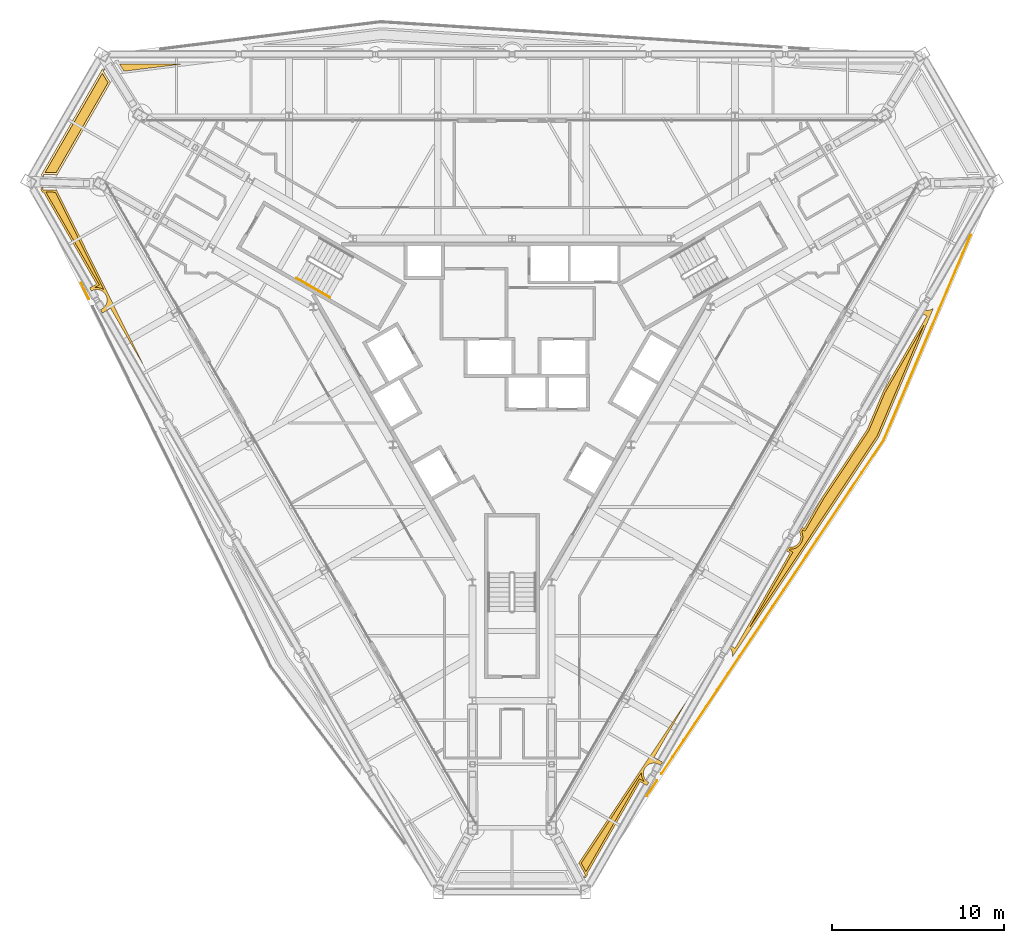
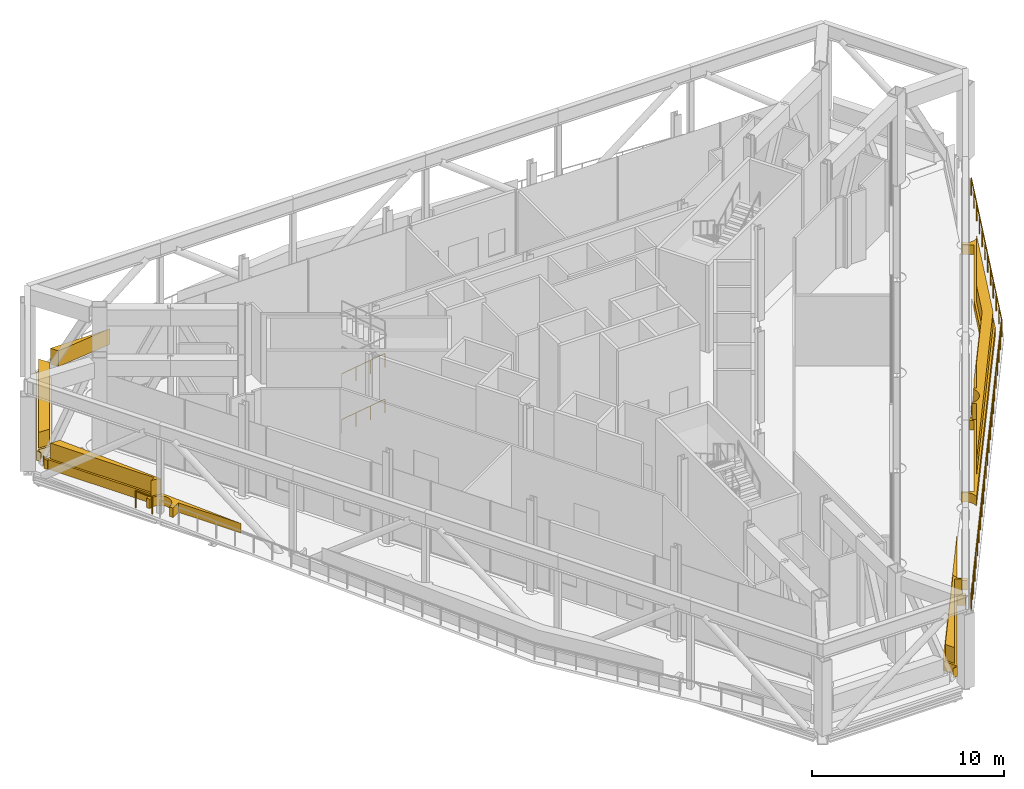
# One storey, part 21 of 24: 9 coverings, 5 railings.
"""IFC4 building model written with IfcOpenShell, lengths in metres."""

from ifc_helpers import new_model, si_unit, direction, frame, origin, origin_2d, place, context, subcontext, project, spatial, polyline, circle, outline, extrude, material, type_object, element, save


model = new_model("IFC4")

# Units and contexts
model_context = context("Model", 3, precision=1e-05, world=origin(), true_north=direction((0.0, 1.0)))
body_context = subcontext(model_context, "Body", "Model", "MODEL_VIEW")
ifc_project = project(units=[si_unit("LENGTHUNIT", "METRE"), si_unit("AREAUNIT", "SQUARE_METRE"), si_unit("VOLUMEUNIT", "CUBIC_METRE"), si_unit("PLANEANGLEUNIT", "RADIAN"), si_unit("MASSUNIT", "GRAM", prefix="KILO")], contexts=[model_context])

# Site, building, storey
site_placement = place(None, origin())
site = spatial("IfcSite", under=ifc_project, at=site_placement, CompositionType="ELEMENT")
building_placement = place(site_placement, origin())
building = spatial("IfcBuilding", under=site, at=building_placement, Name="Verrane Prism Tower", CompositionType="ELEMENT")
storey_placement = place(building_placement, frame((0.0, 0.0, 200.60009765625)))
storey = spatial("IfcBuildingStorey", under=building, at=storey_placement, Name="L50", CompositionType="ELEMENT", Elevation=200.60009765625)

# Coverings
ifc_material_1 = material(Name="Planting medium in stone kerb", Category="masonry")
covering_type_1 = type_object("IfcCoveringType", Name="Planter bed 600", PredefinedType="USERDEFINED", material=ifc_material_1)
covering_1_placement = place(storey_placement, origin())
element("IfcCovering", 1, at=covering_1_placement, inside=storey, type_object=covering_type_1, Name="Planter bed L50 3", ObjectType="PLANTER", PredefinedType="USERDEFINED", context=body_context, shape_type="SweptSolid", body=[
    extrude(outline(polyline([(24.519775390625, 3.937744140625), (24.49462890625, 3.919189453125), (24.444091796875, 3.888671875), (24.390380859375, 3.863525390625), (24.3349609375, 3.843505859375), (24.277587890625, 3.8291015625), (24.218994140625, 3.820556640625), (24.159912109375, 3.817626953125), (24.10107421875, 3.820556640625), (24.04248046875, 3.8291015625), (23.985107421875, 3.843505859375), (23.929443359375, 3.863525390625), (23.8759765625, 3.888671875), (23.8251953125, 3.919189453125), (23.77783203125, 3.954345703125), (23.73388671875, 3.993896484375), (23.693603515625, 4.03857421875), (23.59130859375, 3.796875), (24.137451171875, 3.481201171875), (21.58251953125, -0.941650390625), (20.647216796875, -3.1484375), (18.0703125, -7.02197265625), (17.001953125, -8.87158203125), (16.884765625, -8.803955078125), (16.71826171875, -9.05419921875), (16.731201171875, -9.075927734375), (16.756591796875, -9.12939453125), (16.776611328125, -9.18505859375), (16.790771484375, -9.242431640625), (16.799560546875, -9.301025390625), (16.802490234375, -9.360107421875), (16.799560546875, -9.4189453125), (16.790771484375, -9.4775390625), (16.776611328125, -9.534912109375), (16.756591796875, -9.590576171875), (16.731201171875, -9.64404296875), (16.700927734375, -9.694580078125), (16.665771484375, -9.7421875), (16.6259765625, -9.785888671875), (16.582275390625, -9.82568359375), (16.53466796875, -9.86083984375), (16.48388671875, -9.891357421875), (16.430419921875, -9.91650390625), (16.375, -9.9365234375), (16.3173828125, -9.95068359375), (16.259033203125, -9.95947265625), (16.199951171875, -9.96240234375), (16.14111328125, -9.95947265625), (16.118408203125, -9.9560546875), (15.970703125, -10.177978515625), (16.178466796875, -10.2978515625), (12.977783203125, -15.844482421875), (12.41650390625, -15.5205078125), (12.33251953125, -15.64697265625), (12.347412109375, -15.649169921875), (12.40478515625, -15.66357421875), (12.46044921875, -15.68359375), (12.513916015625, -15.708740234375), (12.564697265625, -15.739013671875), (12.6123046875, -15.7744140625), (12.656005859375, -15.81396484375), (12.69580078125, -15.85791015625), (12.73095703125, -15.9052734375), (12.76123046875, -15.9560546875), (12.78662109375, -16.009521484375), (12.806396484375, -16.065185546875), (12.82080078125, -16.12255859375), (12.82958984375, -16.180908203125), (12.83251953125, -16.239990234375), (12.82958984375, -16.299072265625), (12.82080078125, -16.35693359375), (21.3544921875, -3.529296875), (24.519775390625, 3.937744140625)])), origin(), (0.0, 0.0, 1.0), 0.599853515625),
])
covering_2_placement = place(storey_placement, origin())
element("IfcCovering", 2, at=covering_2_placement, inside=storey, type_object=covering_type_1, Name="Planter bed L50 5", ObjectType="PLANTER", PredefinedType="USERDEFINED", context=body_context, shape_type="SweptSolid", body=[
    extrude(outline(polyline([(4.033203125, -29.20654296875), (4.1142578125, -29.186279296875), (4.19677734375, -29.174072265625), (4.280029296875, -29.169921875), (4.29638671875, -29.1708984375), (4.412353515625, -28.99658203125), (4.36572265625, -28.9697265625), (7.45654296875, -23.605712890625), (7.848388671875, -23.83154296875), (7.962890625, -23.659423828125), (7.915283203125, -23.630859375), (7.867919921875, -23.595703125), (7.823974609375, -23.555908203125), (7.7841796875, -23.51220703125), (7.7490234375, -23.464599609375), (7.71875, -23.4140625), (7.693603515625, -23.360595703125), (7.673583984375, -23.304931640625), (7.6591796875, -23.24755859375), (7.650390625, -23.18896484375), (7.647705078125, -23.1298828125), (7.650390625, -23.071044921875), (7.6591796875, -23.012451171875), (7.673583984375, -22.955078125), (7.693603515625, -22.8994140625), (7.71875, -22.845947265625), (7.7490234375, -22.79541015625), (7.7841796875, -22.747802734375), (7.823974609375, -22.7041015625), (7.867919921875, -22.664306640625), (7.915283203125, -22.629150390625), (7.966064453125, -22.5986328125), (8.01953125, -22.573486328125), (8.0751953125, -22.553466796875), (8.132568359375, -22.539306640625), (8.19091796875, -22.530517578125), (8.25, -22.527587890625), (8.30908203125, -22.530517578125), (8.367431640625, -22.539306640625), (8.4248046875, -22.553466796875), (8.48046875, -22.573486328125), (8.533935546875, -22.5986328125), (8.584716796875, -22.629150390625), (8.627197265625, -22.66064453125), (8.75439453125, -22.4697265625), (8.2724609375, -22.19140625), (10.14306640625, -18.953369140625), (10.1357421875, -18.948974609375), (3.891357421875, -28.33544921875), (4.277099609375, -29.058837890625), (3.97119140625, -29.22216796875), (3.9736328125, -29.227783203125), (4.033203125, -29.20654296875)])), origin(), (0.0, 0.0, 1.0), 0.599853515625),
])
covering_3_placement = place(storey_placement, origin())
element("IfcCovering", 3, at=covering_3_placement, inside=storey, type_object=covering_type_1, Name="Planter bed L50 11", ObjectType="PLANTER", PredefinedType="USERDEFINED", context=body_context, shape_type="SweptSolid", body=[
    extrude(outline(polyline([(-27.316650390625, 11.063232421875), (-27.3447265625, 10.984619140625), (-27.38037109375, 10.9091796875), (-27.4091796875, 10.861083984375), (-27.318603515625, 10.677978515625), (-27.264404296875, 10.709228515625), (-24.173583984375, 5.34521484375), (-24.563720703125, 5.120361328125), (-24.4716796875, 4.934814453125), (-24.444091796875, 4.951416015625), (-24.390380859375, 4.9765625), (-24.3349609375, 4.99658203125), (-24.277587890625, 5.0107421875), (-24.218994140625, 5.01953125), (-24.159912109375, 5.0224609375), (-24.10107421875, 5.01953125), (-24.04248046875, 5.0107421875), (-23.985107421875, 4.99658203125), (-23.929443359375, 4.9765625), (-23.8759765625, 4.951416015625), (-23.8251953125, 4.9208984375), (-23.77783203125, 4.8857421875), (-23.73388671875, 4.845947265625), (-23.6943359375, 4.80224609375), (-23.6591796875, 4.754638671875), (-23.628662109375, 4.7041015625), (-23.603515625, 4.650390625), (-23.58349609375, 4.594970703125), (-23.569091796875, 4.53759765625), (-23.560546875, 4.47900390625), (-23.5576171875, 4.419921875), (-23.560546875, 4.361083984375), (-23.569091796875, 4.302490234375), (-23.58349609375, 4.2451171875), (-23.603515625, 4.189453125), (-23.628662109375, 4.135986328125), (-23.6591796875, 4.085205078125), (-23.6943359375, 4.037841796875), (-23.73388671875, 3.993896484375), (-23.77783203125, 3.954345703125), (-23.8251953125, 3.919189453125), (-23.8759765625, 3.888671875), (-23.929443359375, 3.863525390625), (-23.93896484375, 3.860107421875), (-23.837158203125, 3.65478515625), (-23.358154296875, 3.931396484375), (-21.47509765625, 0.671875), (-21.4677734375, 0.67578125), (-26.48681640625, 10.80126953125), (-27.297607421875, 10.830078125), (-27.28564453125, 11.16748046875), (-27.290283203125, 11.168212890625), (-27.316650390625, 11.063232421875)])), origin(), (0.0, 0.0, 1.0), 0.599853515625),
])
covering_4_placement = place(storey_placement, origin())
element("IfcCovering", 4, at=covering_4_placement, inside=storey, type_object=covering_type_1, Name="Planter bed L50 12", ObjectType="PLANTER", PredefinedType="USERDEFINED", context=body_context, shape_type="SweptSolid", body=[
    extrude(outline(polyline([(-27.265625, 11.7294921875), (-26.4599609375, 11.700927734375), (-23.3623046875, 17.06640625), (-23.791259765625, 17.751708984375), (-23.503173828125, 17.931884765625), (-23.506591796875, 17.93798828125), (-23.53466796875, 17.9248046875), (-23.61328125, 17.896484375), (-23.694091796875, 17.876220703125), (-23.776611328125, 17.864013671875), (-23.826904296875, 17.861572265625), (-27.37939453125, 11.70849609375), (-27.3447265625, 11.63525390625), (-27.316650390625, 11.556640625), (-27.29638671875, 11.475830078125), (-27.283203125, 11.387451171875), (-27.27783203125, 11.3876953125), (-27.265625, 11.7294921875)])), origin(), (0.0, 0.0, 1.0), 0.599853515625),
])
ifc_material_2 = material(Name="Planted shrubs and grasses", Category="other")
covering_type_2 = type_object("IfcCoveringType", Name="Planting mass 1000", PredefinedType="USERDEFINED", material=ifc_material_2)
covering_5_placement = place(storey_placement, frame((0.0, 0.0, 0.599853515625)))
element("IfcCovering", 5, at=covering_5_placement, inside=storey, type_object=covering_type_2, Name="Planting L50 3", ObjectType="PLANTING", PredefinedType="USERDEFINED", context=body_context, shape_type="SweptSolid", body=[
    extrude(outline(polyline([(21.24853515625, -3.47216796875), (23.975341796875, 2.960693359375), (21.690185546875, -0.995361328125), (20.75341796875, -3.20556640625), (18.17236328125, -7.085205078125), (17.045654296875, -9.035400390625), (16.92236328125, -8.964111328125), (16.857421875, -9.061767578125), (16.867431640625, -9.08349609375), (16.891357421875, -9.150390625), (16.90869140625, -9.218994140625), (16.919189453125, -9.289306640625), (16.922607421875, -9.360107421875), (16.919189453125, -9.430908203125), (16.90869140625, -9.5009765625), (16.891357421875, -9.569580078125), (16.867431640625, -9.636474609375), (16.837158203125, -9.70068359375), (16.80078125, -9.761474609375), (16.758544921875, -9.818359375), (16.7109375, -9.870849609375), (16.658447265625, -9.91845703125), (16.601318359375, -9.960693359375), (16.54052734375, -9.997314453125), (16.4765625, -10.027587890625), (16.40966796875, -10.051513671875), (16.341064453125, -10.068603515625), (16.270751953125, -10.0791015625), (16.199951171875, -10.08251953125), (16.178955078125, -10.08154296875), (16.141357421875, -10.137939453125), (16.34228515625, -10.25390625), (13.761474609375, -14.726318359375), (21.24853515625, -3.47216796875)])), origin(), (0.0, 0.0, 1.0), 1.0),
])
covering_6_placement = place(storey_placement, frame((0.0, 0.0, 0.599853515625)))
element("IfcCovering", 6, at=covering_6_placement, inside=storey, type_object=covering_type_2, Name="Planting L50 5", ObjectType="PLANTING", PredefinedType="USERDEFINED", context=body_context, shape_type="SweptSolid", body=[
    extrude(outline(polyline([(7.412353515625, -23.44189453125), (7.718505859375, -23.6181640625), (7.69140625, -23.58837890625), (7.649169921875, -23.531494140625), (7.61279296875, -23.470703125), (7.58251953125, -23.406494140625), (7.55859375, -23.339599609375), (7.541259765625, -23.27099609375), (7.531005859375, -23.20068359375), (7.527587890625, -23.1298828125), (7.52978515625, -23.082763671875), (4.031005859375, -28.34228515625), (4.29931640625, -28.844970703125), (7.412353515625, -23.44189453125)])), origin(), (0.0, 0.0, 1.0), 1.0),
])
covering_7_placement = place(storey_placement, frame((0.0, 0.0, 0.599853515625)))
element("IfcCovering", 7, at=covering_7_placement, inside=storey, type_object=covering_type_2, Name="Planting L50 10", ObjectType="PLANTING", PredefinedType="USERDEFINED", context=body_context, shape_type="SweptSolid", body=[
    extrude(outline(polyline([(-22.57421875, 17.7294921875), (-19.2451171875, 18.139892578125), (-22.8310546875, 18.139892578125), (-22.57421875, 17.7294921875)])), origin(), (0.0, 0.0, 1.0), 1.0),
])
covering_8_placement = place(storey_placement, frame((0.0, 0.0, 0.599853515625)))
element("IfcCovering", 8, at=covering_8_placement, inside=storey, type_object=covering_type_2, Name="Planting L50 11", ObjectType="PLANTING", PredefinedType="USERDEFINED", context=body_context, shape_type="SweptSolid", body=[
    extrude(outline(polyline([(-24.009765625, 5.301025390625), (-24.31494140625, 5.125), (-24.301025390625, 5.128662109375), (-24.230712890625, 5.13916015625), (-24.159912109375, 5.142578125), (-24.089111328125, 5.13916015625), (-24.01904296875, 5.128662109375), (-23.9501953125, 5.111328125), (-23.883544921875, 5.08740234375), (-23.8193359375, 5.05712890625), (-23.758544921875, 5.020751953125), (-23.75341796875, 5.01708984375), (-26.5625, 10.683837890625), (-27.122802734375, 10.703857421875), (-24.009765625, 5.301025390625)])), origin(), (0.0, 0.0, 1.0), 1.0),
])
covering_9_placement = place(storey_placement, frame((0.0, 0.0, 0.599853515625)))
element("IfcCovering", 9, at=covering_9_placement, inside=storey, type_object=covering_type_2, Name="Planting L50 12", ObjectType="PLANTING", PredefinedType="USERDEFINED", context=body_context, shape_type="SweptSolid", body=[
    extrude(outline(polyline([(-26.52783203125, 11.823486328125), (-23.502197265625, 17.063720703125), (-23.838623046875, 17.601318359375), (-27.16162109375, 11.845947265625), (-26.52783203125, 11.823486328125)])), origin(), (0.0, 0.0, 1.0), 1.0),
])

# Railings
ifc_material_3 = material(Name="Steel A36 tube", Category="steel")
railing_type_1 = type_object("IfcRailingType", Name="Stair handrail 900 steel tube", PredefinedType="HANDRAIL", material=ifc_material_3)
for number, where, name in (
    (10, (-12.53955078125, 5.680908203125, 0.1611328125), "Stair 2 handrail"),
    (11, (-12.53955078125, 5.680908203125, 3.06103515625), "Stair 2 handrail"),
):
    element("IfcRailing", number, at=place(storey_placement, frame(where)), inside=storey, type_object=railing_type_1, Name=name, PredefinedType="HANDRAIL", context=body_context, shape_type="SweptSolid", body=[
        extrude(circle(Radius=0.02392578125, at=origin_2d()), frame((0.0, 0.0, 0.8759765625), z_axis=(0.750637111348, -0.433415940959, 0.498692840524), x_axis=(0.500030632641, 0.866007717299, 0.0)), (0.0, 0.0, 1.0), 2.58447265625),
        extrude(circle(Radius=0.02099609375, at=origin_2d()), origin(), (0.0, 0.0, 1.0), 0.851806640625),
        extrude(circle(Radius=0.02099609375, at=origin_2d()), frame((0.646728515625, -0.373291015625, 0.4296875)), (0.0, 0.0, 1.0), 0.851806640625),
        extrude(circle(Radius=0.02099609375, at=origin_2d()), frame((1.293212890625, -0.746826171875, 0.859130859375)), (0.0, 0.0, 1.0), 0.851806640625),
        extrude(circle(Radius=0.02099609375, at=origin_2d()), frame((1.93994140625, -1.1201171875, 1.288818359375)), (0.0, 0.0, 1.0), 0.851806640625),
    ])
ifc_material_4 = material(Name="Stainless steel and laminated glass", Category="steel")
railing_type_2 = type_object("IfcRailingType", Name="Terrace guard 1100", PredefinedType="GUARDRAIL", material=ifc_material_4)
railing_1_placement = place(storey_placement, frame((-25.068603515625, 5.39599609375, 0.0)))
element("IfcRailing", 12, at=railing_1_placement, inside=storey, type_object=railing_type_2, Name="Terrace guard L50 3", PredefinedType="GUARDRAIL", context=body_context, shape_type="SweptSolid", body=[
    extrude(circle(Radius=0.02392578125, at=origin_2d()), frame((0.0, 0.0, 1.076171875), z_axis=(0.444094428697, -0.895979987723, 0.0), x_axis=(0.895979987723, 0.444094428697, 0.0)), (0.0, 0.0, 1.0), 1.0341796875),
    extrude(circle(Radius=0.02099609375, at=origin_2d()), origin(), (0.0, 0.0, 1.0), 1.052001953125),
    extrude(circle(Radius=0.02099609375, at=origin_2d()), frame((0.459228515625, -0.926513671875, 0.0)), (0.0, 0.0, 1.0), 1.052001953125),
])
railing_2_placement = place(storey_placement, frame((7.850341796875, -24.42431640625, 0.0)))
element("IfcRailing", 13, at=railing_2_placement, inside=storey, type_object=railing_type_2, Name="Terrace guard L50 5", PredefinedType="GUARDRAIL", context=body_context, shape_type="SweptSolid", body=[
    extrude(circle(Radius=0.02392578125, at=origin_2d()), frame((0.0, 0.0, 1.076171875), z_axis=(0.554062854214, 0.832474836605, 0.0), x_axis=(-0.832474836605, 0.554062854214, 0.0)), (0.0, 0.0, 1.0), 1.06103515625),
    extrude(circle(Radius=0.02099609375, at=origin_2d()), origin(), (0.0, 0.0, 1.0), 1.052001953125),
    extrude(circle(Radius=0.02099609375, at=origin_2d()), frame((0.587890625, 0.88330078125, 0.0)), (0.0, 0.0, 1.0), 1.052001953125),
])
railing_3_placement = place(storey_placement, frame((8.70166015625, -23.144775390625, 0.0)))
element("IfcRailing", 14, at=railing_3_placement, inside=storey, type_object=railing_type_2, Name="Terrace guard L50 6", PredefinedType="GUARDRAIL", context=body_context, shape_type="SweptSolid", body=[
    extrude(circle(Radius=0.02392578125, at=origin_2d()), frame((0.0, 0.0, 1.076171875), z_axis=(0.553889934261, 0.832589899485, 0.0), x_axis=(-0.832589899485, 0.553889934261, 0.0)), (0.0, 0.0, 1.0), 23.370849609375),
    extrude(circle(Radius=0.02392578125, at=origin_2d()), frame((12.94482421875, 19.458251953125, 1.076171875), z_axis=(0.390265832208, 0.920702221248, 0.0), x_axis=(-0.920702221248, 0.390265832208, 0.0)), (0.0, 0.0, 1.0), 12.9150390625),
    extrude(circle(Radius=0.02099609375, at=origin_2d()), origin(), (0.0, 0.0, 1.0), 1.052001953125),
    extrude(circle(Radius=0.02099609375, at=origin_2d()), frame((0.647216796875, 0.972900390625, 0.0)), (0.0, 0.0, 1.0), 1.052001953125),
    extrude(circle(Radius=0.02099609375, at=origin_2d()), frame((1.29443359375, 1.94580078125, 0.0)), (0.0, 0.0, 1.0), 1.052001953125),
    extrude(circle(Radius=0.02099609375, at=origin_2d()), frame((1.941650390625, 2.918701171875, 0.0)), (0.0, 0.0, 1.0), 1.052001953125),
    extrude(circle(Radius=0.02099609375, at=origin_2d()), frame((2.5888671875, 3.8916015625, 0.0)), (0.0, 0.0, 1.0), 1.052001953125),
    extrude(circle(Radius=0.02099609375, at=origin_2d()), frame((3.236328125, 4.864501953125, 0.0)), (0.0, 0.0, 1.0), 1.052001953125),
    extrude(circle(Radius=0.02099609375, at=origin_2d()), frame((3.883544921875, 5.83740234375, 0.0)), (0.0, 0.0, 1.0), 1.052001953125),
    extrude(circle(Radius=0.02099609375, at=origin_2d()), frame((4.53076171875, 6.810302734375, 0.0)), (0.0, 0.0, 1.0), 1.052001953125),
    extrude(circle(Radius=0.02099609375, at=origin_2d()), frame((5.177978515625, 7.783203125, 0.0)), (0.0, 0.0, 1.0), 1.052001953125),
    extrude(circle(Radius=0.02099609375, at=origin_2d()), frame((5.8251953125, 8.756103515625, 0.0)), (0.0, 0.0, 1.0), 1.052001953125),
    extrude(circle(Radius=0.02099609375, at=origin_2d()), frame((6.472412109375, 9.72900390625, 0.0)), (0.0, 0.0, 1.0), 1.052001953125),
    extrude(circle(Radius=0.02099609375, at=origin_2d()), frame((7.11962890625, 10.7021484375, 0.0)), (0.0, 0.0, 1.0), 1.052001953125),
    extrude(circle(Radius=0.02099609375, at=origin_2d()), frame((7.766845703125, 11.675048828125, 0.0)), (0.0, 0.0, 1.0), 1.052001953125),
    extrude(circle(Radius=0.02099609375, at=origin_2d()), frame((8.4140625, 12.64794921875, 0.0)), (0.0, 0.0, 1.0), 1.052001953125),
    extrude(circle(Radius=0.02099609375, at=origin_2d()), frame((9.061279296875, 13.620849609375, 0.0)), (0.0, 0.0, 1.0), 1.052001953125),
    extrude(circle(Radius=0.02099609375, at=origin_2d()), frame((9.70849609375, 14.59375, 0.0)), (0.0, 0.0, 1.0), 1.052001953125),
    extrude(circle(Radius=0.02099609375, at=origin_2d()), frame((10.35595703125, 15.566650390625, 0.0)), (0.0, 0.0, 1.0), 1.052001953125),
    extrude(circle(Radius=0.02099609375, at=origin_2d()), frame((11.003173828125, 16.53955078125, 0.0)), (0.0, 0.0, 1.0), 1.052001953125),
    extrude(circle(Radius=0.02099609375, at=origin_2d()), frame((11.650390625, 17.512451171875, 0.0)), (0.0, 0.0, 1.0), 1.052001953125),
    extrude(circle(Radius=0.02099609375, at=origin_2d()), frame((12.297607421875, 18.4853515625, 0.0)), (0.0, 0.0, 1.0), 1.052001953125),
    extrude(circle(Radius=0.02099609375, at=origin_2d()), frame((12.94482421875, 19.458251953125, 0.0)), (0.0, 0.0, 1.0), 1.052001953125),
    extrude(circle(Radius=0.02099609375, at=origin_2d()), frame((13.403076171875, 20.539306640625, 0.0)), (0.0, 0.0, 1.0), 1.052001953125),
    extrude(circle(Radius=0.02099609375, at=origin_2d()), frame((13.861328125, 21.6201171875, 0.0)), (0.0, 0.0, 1.0), 1.052001953125),
    extrude(circle(Radius=0.02099609375, at=origin_2d()), frame((14.3193359375, 22.701171875, 0.0)), (0.0, 0.0, 1.0), 1.052001953125),
    extrude(circle(Radius=0.02099609375, at=origin_2d()), frame((14.777587890625, 23.7822265625, 0.0)), (0.0, 0.0, 1.0), 1.052001953125),
    extrude(circle(Radius=0.02099609375, at=origin_2d()), frame((15.23583984375, 24.86328125, 0.0)), (0.0, 0.0, 1.0), 1.052001953125),
    extrude(circle(Radius=0.02099609375, at=origin_2d()), frame((15.694091796875, 25.944091796875, 0.0)), (0.0, 0.0, 1.0), 1.052001953125),
    extrude(circle(Radius=0.02099609375, at=origin_2d()), frame((16.15234375, 27.025146484375, 0.0)), (0.0, 0.0, 1.0), 1.052001953125),
    extrude(circle(Radius=0.02099609375, at=origin_2d()), frame((16.610595703125, 28.106201171875, 0.0)), (0.0, 0.0, 1.0), 1.052001953125),
    extrude(circle(Radius=0.02099609375, at=origin_2d()), frame((17.068603515625, 29.187255859375, 0.0)), (0.0, 0.0, 1.0), 1.052001953125),
    extrude(circle(Radius=0.02099609375, at=origin_2d()), frame((17.52685546875, 30.26806640625, 0.0)), (0.0, 0.0, 1.0), 1.052001953125),
    extrude(circle(Radius=0.02099609375, at=origin_2d()), frame((17.985107421875, 31.34912109375, 0.0)), (0.0, 0.0, 1.0), 1.052001953125),
])

save(model, "model.ifc")
